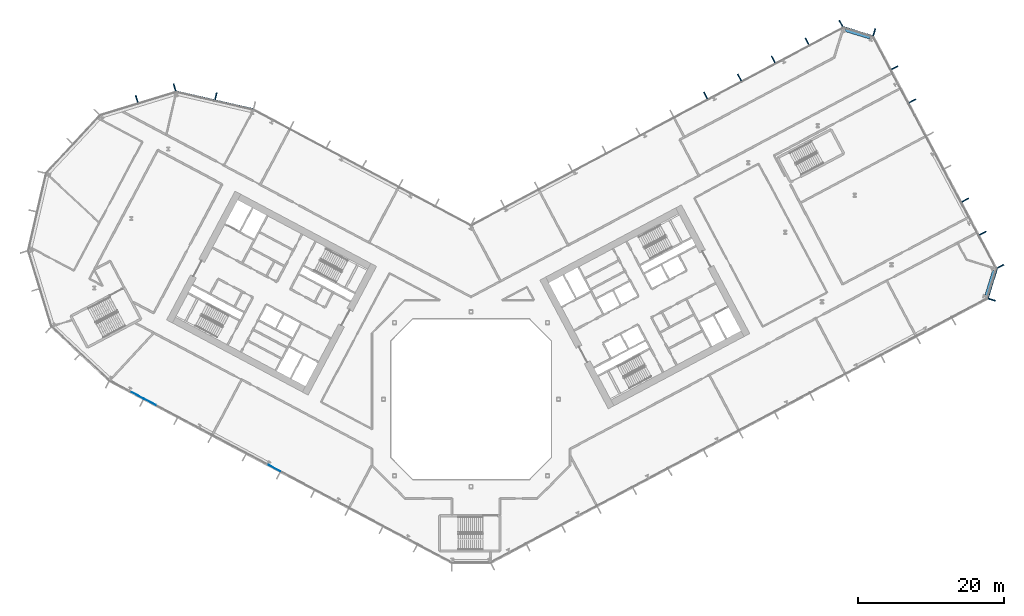
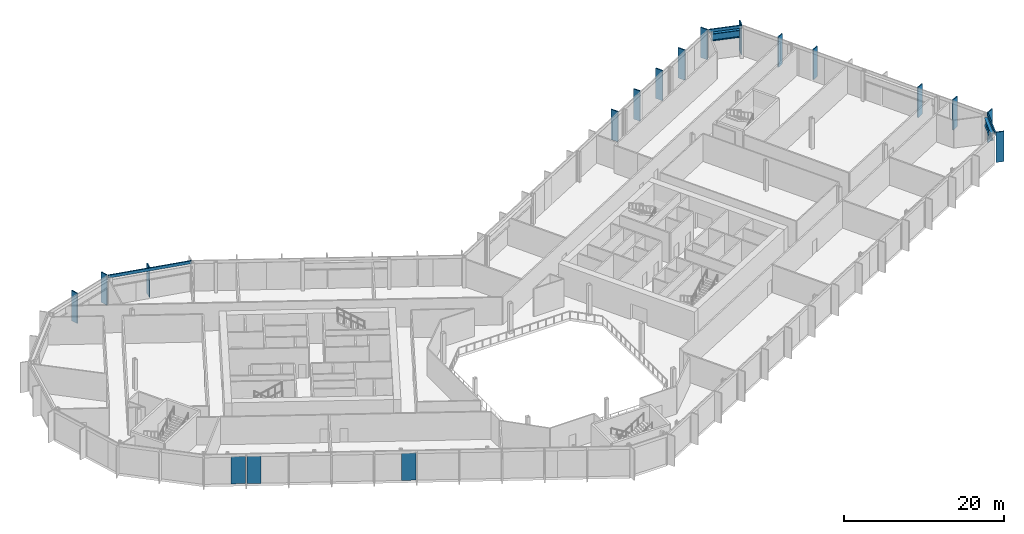
# One storey, part 9 of 32: 18 members, 3 plates, 2 beams, 7 elements without a shape of their own.
"""IFC4 building model written with IfcOpenShell, lengths in metres."""

from ifc_helpers import new_model, si_unit, direction, frame, origin, origin_2d, place, context, subcontext, project, spatial, rectangle, i_section, extrude, material, layer, layer_set, material_profile, profile_set, type_object, element, aggregate, save


model = new_model("IFC4")

# Units and contexts
model_context = context("Model", 3, precision=1e-05, world=origin(), true_north=direction((0.0, 1.0)))
body_context = subcontext(model_context, "Body", "Model", "MODEL_VIEW")
ifc_project = project(units=[si_unit("LENGTHUNIT", "METRE"), si_unit("AREAUNIT", "SQUARE_METRE"), si_unit("VOLUMEUNIT", "CUBIC_METRE"), si_unit("PLANEANGLEUNIT", "RADIAN"), si_unit("MASSUNIT", "GRAM", prefix="KILO")], contexts=[model_context])

# Site, building, storey
site_placement = place(None, origin())
site = spatial("IfcSite", under=ifc_project, at=site_placement, CompositionType="ELEMENT")
building_placement = place(site_placement, origin())
building = spatial("IfcBuilding", under=site, at=building_placement, Name="Cormorant Relay Tower", CompositionType="ELEMENT")
storey_placement = place(building_placement, frame((0.0, 0.0, 66.199951171875)))
storey = spatial("IfcBuildingStorey", under=building, at=storey_placement, Name="L12", CompositionType="ELEMENT", Elevation=66.199951171875)

# Curtain wall, member
ifc_material_1 = material(Name="Aluminium 6063-T6 anodised bronze", Category="aluminium")
ifc_layer_1 = layer(ifc_material_1, 0.199951171875)
ifc_layer_set_1 = layer_set([ifc_layer_1], Name="CW1 unitised bronze curtain wall with vertical fins")
curtain_wall_type = type_object("IfcCurtainWallType", Name="CW1 unitised bronze curtain wall with vertical fins", PredefinedType="NOTDEFINED", material=ifc_layer_set_1)
curtain_wall_1_placement = place(storey_placement, origin())
curtain_wall_1 = element("IfcCurtainWall", 1, at=curtain_wall_1_placement, inside=storey, type_object=curtain_wall_type, Name="CW1 curtain wall 3", PredefinedType="NOTDEFINED")
ifc_material_2 = material(Name="Aluminium 6063-T6 anodised bronze", Category="aluminium")
ifc_material_profile_1 = material_profile(ifc_material_2, rectangle(XDim=0.14990234375, YDim=1.0, at=origin_2d()), Name="AL 150x1000")
ifc_profile_set_1 = profile_set([ifc_material_profile_1], Name="Aluminium 6063-T6 anodised bronze")
member_type_1 = type_object("IfcMemberType", Name="CW1 bronze fin mullion 150 x 1000", PredefinedType="MULLION", material=ifc_profile_set_1)
member_1_placement = place(storey_placement, frame((71.45166015625, 13.64697265625, 0.0), z_axis=(0.0, 0.0, 1.0), x_axis=(0.292371704723, 0.956304755963, 0.0)))
member_1 = element("IfcMember", 2, at=member_1_placement, type_object=member_type_1, Name="CW1 fin 3.1", PredefinedType="MULLION", context=body_context, shape_type="SweptSolid", body=[
    extrude(rectangle(XDim=0.14990234375, YDim=1.0, at=origin_2d()), origin(), (0.0, 0.0, 1.0), 4.60009765625),
])

# Curtain wall, members
curtain_wall_2_placement = place(storey_placement, origin())
curtain_wall_2 = element("IfcCurtainWall", 3, at=curtain_wall_2_placement, inside=storey, type_object=curtain_wall_type, Name="CW1 curtain wall 4", PredefinedType="NOTDEFINED")
member_2_placement = place(storey_placement, frame((72.640869140625, 18.237548828125, 0.0), z_axis=(0.0, 0.0, 1.0), x_axis=(-0.469471562786, 0.882947592859, 0.0)))
member_2 = element("IfcMember", 4, at=member_2_placement, type_object=member_type_1, Name="CW1 fin 4.1", PredefinedType="MULLION", context=body_context, shape_type="SweptSolid", body=[
    extrude(rectangle(XDim=0.14990234375, YDim=1.0, at=origin_2d()), origin(), (0.0, 0.0, 1.0), 4.60009765625),
])
member_3_placement = place(storey_placement, frame((70.226318359375, 22.7783203125, 0.0), z_axis=(0.0, 0.0, 1.0), x_axis=(-0.469471562786, 0.882947592859, 0.0)))
member_3 = element("IfcMember", 5, at=member_3_placement, type_object=member_type_1, Name="CW1 fin 4.2", PredefinedType="MULLION", context=body_context, shape_type="SweptSolid", body=[
    extrude(rectangle(XDim=0.14990234375, YDim=1.0, at=origin_2d()), origin(), (0.0, 0.0, 1.0), 4.60009765625),
])
member_4_placement = place(storey_placement, frame((67.81201171875, 27.3193359375, 0.0), z_axis=(0.0, 0.0, 1.0), x_axis=(-0.469471562786, 0.882947592859, 0.0)))
member_4 = element("IfcMember", 6, at=member_4_placement, type_object=member_type_1, Name="CW1 fin 4.3", PredefinedType="MULLION", context=body_context, shape_type="SweptSolid", body=[
    extrude(rectangle(XDim=0.14990234375, YDim=1.0, at=origin_2d()), origin(), (0.0, 0.0, 1.0), 4.60009765625),
])
member_5_placement = place(storey_placement, frame((60.568603515625, 40.94189453125, 0.0), z_axis=(0.0, 0.0, 1.0), x_axis=(-0.469471562786, 0.882947592859, 0.0)))
member_5 = element("IfcMember", 7, at=member_5_placement, type_object=member_type_1, Name="CW1 fin 4.6", PredefinedType="MULLION", context=body_context, shape_type="SweptSolid", body=[
    extrude(rectangle(XDim=0.14990234375, YDim=1.0, at=origin_2d()), origin(), (0.0, 0.0, 1.0), 4.60009765625),
])
member_6_placement = place(storey_placement, frame((58.154296875, 45.48291015625, 0.0), z_axis=(0.0, 0.0, 1.0), x_axis=(-0.469471562786, 0.882947592859, 0.0)))
member_6 = element("IfcMember", 8, at=member_6_placement, type_object=member_type_1, Name="CW1 fin 4.7", PredefinedType="MULLION", context=body_context, shape_type="SweptSolid", body=[
    extrude(rectangle(XDim=0.14990234375, YDim=1.0, at=origin_2d()), origin(), (0.0, 0.0, 1.0), 4.60009765625),
])
aggregate(curtain_wall_2, [member_2, member_3, member_4, member_5, member_6])

# Curtain wall, member
curtain_wall_3_placement = place(storey_placement, origin())
curtain_wall_3 = element("IfcCurtainWall", 9, at=curtain_wall_3_placement, inside=storey, type_object=curtain_wall_type, Name="CW1 curtain wall 5", PredefinedType="NOTDEFINED")
member_7_placement = place(storey_placement, frame((55.326416015625, 50.364501953125, 0.0), z_axis=(0.0, 0.0, 1.0), x_axis=(-0.956304755963, 0.292371704723, 0.0)))
member_7 = element("IfcMember", 10, at=member_7_placement, type_object=member_type_1, Name="CW1 fin 5.1", PredefinedType="MULLION", context=body_context, shape_type="SweptSolid", body=[
    extrude(rectangle(XDim=0.14990234375, YDim=1.0, at=origin_2d()), origin(), (0.0, 0.0, 1.0), 4.60009765625),
])

# Curtain wall, members
curtain_wall_4_placement = place(storey_placement, origin())
curtain_wall_4 = element("IfcCurtainWall", 11, at=curtain_wall_4_placement, inside=storey, type_object=curtain_wall_type, Name="CW1 curtain wall 6", PredefinedType="NOTDEFINED")
member_8_placement = place(storey_placement, frame((50.73583984375, 51.553466796875, 0.0), z_axis=(0.0, 0.0, 1.0), x_axis=(-0.882947592859, -0.469471562786, 0.0)))
member_8 = element("IfcMember", 12, at=member_8_placement, type_object=member_type_1, Name="CW1 fin 6.1", PredefinedType="MULLION", context=body_context, shape_type="SweptSolid", body=[
    extrude(rectangle(XDim=0.14990234375, YDim=1.0, at=origin_2d()), origin(), (0.0, 0.0, 1.0), 4.60009765625),
])
member_9_placement = place(storey_placement, frame((46.093505859375, 49.085205078125, 0.0), z_axis=(0.0, 0.0, 1.0), x_axis=(-0.882947592859, -0.469471562786, 0.0)))
member_9 = element("IfcMember", 13, at=member_9_placement, type_object=member_type_1, Name="CW1 fin 6.2", PredefinedType="MULLION", context=body_context, shape_type="SweptSolid", body=[
    extrude(rectangle(XDim=0.14990234375, YDim=1.0, at=origin_2d()), origin(), (0.0, 0.0, 1.0), 4.60009765625),
])
member_10_placement = place(storey_placement, frame((41.451416015625, 46.616943359375, 0.0), z_axis=(0.0, 0.0, 1.0), x_axis=(-0.882947592859, -0.469471562786, 0.0)))
member_10 = element("IfcMember", 14, at=member_10_placement, type_object=member_type_1, Name="CW1 fin 6.3", PredefinedType="MULLION", context=body_context, shape_type="SweptSolid", body=[
    extrude(rectangle(XDim=0.14990234375, YDim=1.0, at=origin_2d()), origin(), (0.0, 0.0, 1.0), 4.60009765625),
])
member_11_placement = place(storey_placement, frame((36.80908203125, 44.148681640625, 0.0), z_axis=(0.0, 0.0, 1.0), x_axis=(-0.882947592859, -0.469471562786, 0.0)))
member_11 = element("IfcMember", 15, at=member_11_placement, type_object=member_type_1, Name="CW1 fin 6.4", PredefinedType="MULLION", context=body_context, shape_type="SweptSolid", body=[
    extrude(rectangle(XDim=0.14990234375, YDim=1.0, at=origin_2d()), origin(), (0.0, 0.0, 1.0), 4.60009765625),
])
member_12_placement = place(storey_placement, frame((32.1669921875, 41.68017578125, 0.0), z_axis=(0.0, 0.0, 1.0), x_axis=(-0.882947592859, -0.469471562786, 0.0)))
member_12 = element("IfcMember", 16, at=member_12_placement, type_object=member_type_1, Name="CW1 fin 6.5", PredefinedType="MULLION", context=body_context, shape_type="SweptSolid", body=[
    extrude(rectangle(XDim=0.14990234375, YDim=1.0, at=origin_2d()), origin(), (0.0, 0.0, 1.0), 4.60009765625),
])
aggregate(curtain_wall_4, [member_8, member_9, member_10, member_11, member_12])

# Curtain wall, member
curtain_wall_5_placement = place(storey_placement, origin())
curtain_wall_5 = element("IfcCurtainWall", 17, at=curtain_wall_5_placement, inside=storey, type_object=curtain_wall_type, Name="CW1 curtain wall 8", PredefinedType="NOTDEFINED")
member_13_placement = place(storey_placement, frame((-35.01220703125, 41.57275390625, 0.0), z_axis=(0.0, 0.0, 1.0), x_axis=(-0.974370064785, 0.224951054344, 0.0)))
member_13 = element("IfcMember", 18, at=member_13_placement, type_object=member_type_1, Name="CW1 fin 8.2", PredefinedType="MULLION", context=body_context, shape_type="SweptSolid", body=[
    extrude(rectangle(XDim=0.14990234375, YDim=1.0, at=origin_2d()), origin(), (0.0, 0.0, 1.0), 4.60009765625),
])

# Curtain wall, members
curtain_wall_6_placement = place(storey_placement, origin())
curtain_wall_6 = element("IfcCurtainWall", 19, at=curtain_wall_6_placement, inside=storey, type_object=curtain_wall_type, Name="CW1 curtain wall 9", PredefinedType="NOTDEFINED")
member_14_placement = place(storey_placement, frame((-40.670166015625, 42.78271484375, 0.0), z_axis=(0.0, 0.0, 1.0), x_axis=(-0.956304755963, -0.292371704723, 0.0)))
member_14 = element("IfcMember", 20, at=member_14_placement, type_object=member_type_1, Name="CW1 fin 9.1", PredefinedType="MULLION", context=body_context, shape_type="SweptSolid", body=[
    extrude(rectangle(XDim=0.14990234375, YDim=1.0, at=origin_2d()), origin(), (0.0, 0.0, 1.0), 4.60009765625),
])
member_15_placement = place(storey_placement, frame((-45.867919921875, 41.193603515625, 0.0), z_axis=(0.0, 0.0, 1.0), x_axis=(-0.956304755963, -0.292371704723, 0.0)))
member_15 = element("IfcMember", 21, at=member_15_placement, type_object=member_type_1, Name="CW1 fin 9.2", PredefinedType="MULLION", context=body_context, shape_type="SweptSolid", body=[
    extrude(rectangle(XDim=0.14990234375, YDim=1.0, at=origin_2d()), origin(), (0.0, 0.0, 1.0), 4.60009765625),
])
aggregate(curtain_wall_6, [member_14, member_15])

# Member
ifc_material_3 = material(Name="Aluminium 6063-T6 anodised bronze", Category="aluminium")
ifc_material_profile_2 = material_profile(ifc_material_3, rectangle(XDim=0.159912109375, YDim=0.449951171875, at=origin_2d()), Name="AL 160x450")
ifc_profile_set_2 = profile_set([ifc_material_profile_2], Name="Aluminium 6063-T6 anodised bronze")
member_type_2 = type_object("IfcMemberType", Name="CW1 bronze transom 160 x 450", PredefinedType="USERDEFINED", material=ifc_profile_set_2)
member_16_placement = place(storey_placement, frame((70.89697265625, 13.816650390625, 4.375), z_axis=(0.292391046905, 0.95629884225, 0.0), x_axis=(-0.95629884225, 0.292391046905, 0.0)))
member_16 = element("IfcMember", 22, at=member_16_placement, type_object=member_type_2, Name="CW1 transom 3", ObjectType="TRANSOM", PredefinedType="USERDEFINED", context=body_context, shape_type="SweptSolid", body=[
    extrude(rectangle(XDim=0.159912109375, YDim=0.449951171875, at=origin_2d()), origin(), (0.0, 0.0, 1.0), 4.242431640625),
])

aggregate(curtain_wall_1, [member_1, member_16])

member_17_placement = place(storey_placement, frame((55.15673828125, 49.809814453125, 4.375), z_axis=(-0.95629884225, 0.292391046905, 0.0), x_axis=(-0.292391046905, -0.95629884225, 0.0)))
member_17 = element("IfcMember", 23, at=member_17_placement, type_object=member_type_2, Name="CW1 transom 5", ObjectType="TRANSOM", PredefinedType="USERDEFINED", context=body_context, shape_type="SweptSolid", body=[
    extrude(rectangle(XDim=0.159912109375, YDim=0.449951171875, at=origin_2d()), origin(), (0.0, 0.0, 1.0), 4.242431640625),
])

aggregate(curtain_wall_3, [member_7, member_17])

member_18_placement = place(storey_placement, frame((-29.8466796875, 39.784912109375, 4.375), z_axis=(-0.974365070969, 0.224972683844, 0.0), x_axis=(-0.224972683844, -0.974365070969, 0.0)))
member_18 = element("IfcMember", 24, at=member_18_placement, type_object=member_type_2, Name="CW1 transom 8", ObjectType="TRANSOM", PredefinedType="USERDEFINED", context=body_context, shape_type="SweptSolid", body=[
    extrude(rectangle(XDim=0.159912109375, YDim=0.449951171875, at=origin_2d()), origin(), (0.0, 0.0, 1.0), 10.870361328125),
])

aggregate(curtain_wall_5, [member_13, member_18])

# Beams
ifc_material_4 = material(Name="Steel ASTM A992 (Fy 345 MPa)", Category="steel")
ifc_material_profile_3 = material_profile(ifc_material_4, i_section(OverallWidth=0.40380859375, OverallDepth=1.11767578125, WebThickness=0.026123046875, FlangeThickness=0.044921875, FilletRadius=0.02001953125, at=origin_2d()), Name="W1100x499")
ifc_profile_set_3 = profile_set([ifc_material_profile_3], Name="Steel ASTM A992 (Fy 345 MPa)")
beam_type = type_object("IfcBeamType", Name="Spandrel W1100x499", PredefinedType="SPANDREL", material=ifc_profile_set_3)
for number, where, z_axis, x_axis, name in (
    (25, (70.6943359375, 14.255126953125, 3.641357421875), (0.292423449705, 0.956288934403, 0.0), (-0.956288934403, 0.292423449705, 0.0), "Spandrel beam L12-003"),
    (26, (54.718017578125, 49.607421875, 3.641357421875), (-0.956308047674, 0.292360937806, 0.0), (-0.292360937806, -0.956308047674, 0.0), "Spandrel beam L12-005"),
):
    element("IfcBeam", number, at=place(storey_placement, frame(where, z_axis=z_axis, x_axis=x_axis)), inside=storey, type_object=beam_type, Name=name, PredefinedType="SPANDREL", context=body_context, shape_type="SweptSolid", body=[
        extrude(i_section(OverallWidth=0.40380859375, OverallDepth=1.11767578125, WebThickness=0.026123046875, FlangeThickness=0.044921875, FilletRadius=0.02001953125, at=origin_2d()), origin(), (0.0, 0.0, 1.0), 3.571533203125),
    ])

# Curtain wall, plates
curtain_wall_7_placement = place(storey_placement, origin())
curtain_wall_7 = element("IfcCurtainWall", 27, at=curtain_wall_7_placement, inside=storey, type_object=curtain_wall_type, Name="CW1 curtain wall 14", PredefinedType="NOTDEFINED")
ifc_material_5 = material(Name="Tinted laminated glass", Category="glass")
ifc_layer_2 = layer(ifc_material_5, 0.0400390625)
ifc_layer_set_2 = layer_set([ifc_layer_2], Name="CW1 tinted vision panel 1800 module")
plate_type = type_object("IfcPlateType", Name="CW1 tinted vision panel 1800 module", PredefinedType="CURTAIN_PANEL", material=ifc_layer_set_2)
plate_1_placement = place(storey_placement, frame((-45.767578125, 0.5283203125, 0.0), z_axis=(0.0, 0.0, 1.0), x_axis=(0.882947592859, -0.469471562786, 0.0)))
plate_1 = element("IfcPlate", 28, at=plate_1_placement, type_object=plate_type, Name="CW1 panel V01", PredefinedType="CURTAIN_PANEL", context=body_context, shape_type="SweptSolid", body=[
    extrude(rectangle(XDim=1.800048828125, YDim=0.0400390625, at=origin_2d()), origin(), (0.0, 0.0, 1.0), 4.14990234375),
])
plate_2_placement = place(storey_placement, frame((-44.0458984375, -0.38720703125, 0.0), z_axis=(0.0, 0.0, 1.0), x_axis=(0.882947592859, -0.469471562786, 0.0)))
plate_2 = element("IfcPlate", 29, at=plate_2_placement, type_object=plate_type, Name="CW1 panel V02", PredefinedType="CURTAIN_PANEL", context=body_context, shape_type="SweptSolid", body=[
    extrude(rectangle(XDim=1.800048828125, YDim=0.0400390625, at=origin_2d()), origin(), (0.0, 0.0, 1.0), 4.14990234375),
])
plate_3_placement = place(storey_placement, frame((-26.990478515625, -9.45556640625, 0.0), z_axis=(0.0, 0.0, 1.0), x_axis=(0.882947592859, -0.469471562786, 0.0)))
plate_3 = element("IfcPlate", 30, at=plate_3_placement, type_object=plate_type, Name="CW1 panel V05", PredefinedType="CURTAIN_PANEL", context=body_context, shape_type="SweptSolid", body=[
    extrude(rectangle(XDim=1.800048828125, YDim=0.0400390625, at=origin_2d()), origin(), (0.0, 0.0, 1.0), 4.14990234375),
])
aggregate(curtain_wall_7, [plate_1, plate_2, plate_3])

save(model, "model.ifc")
